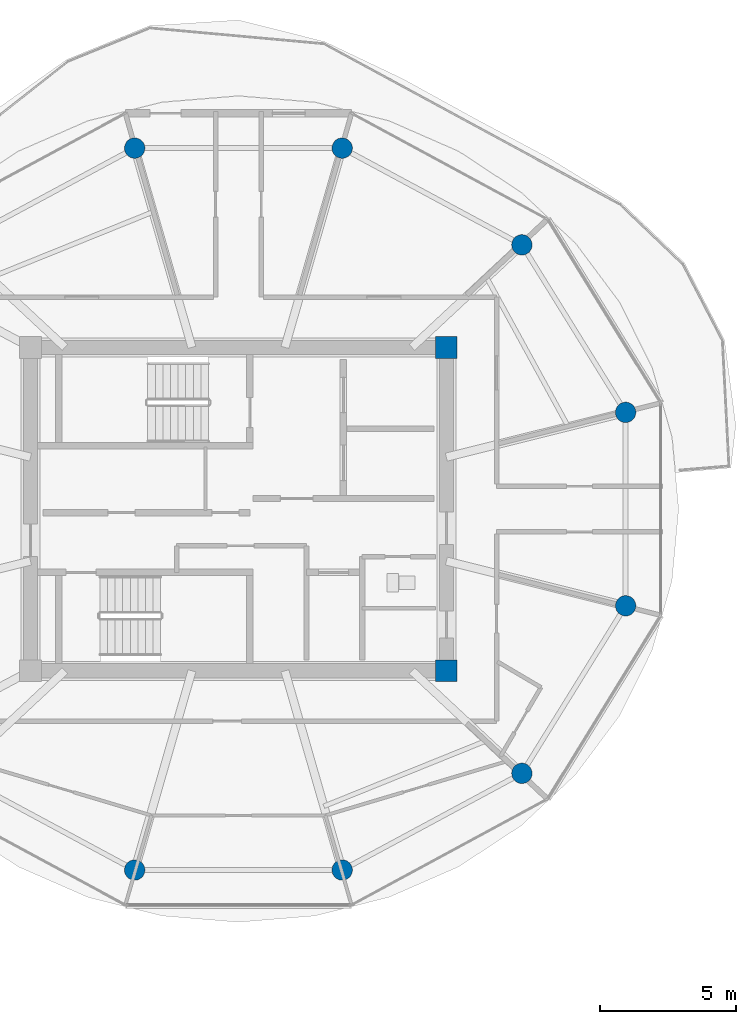
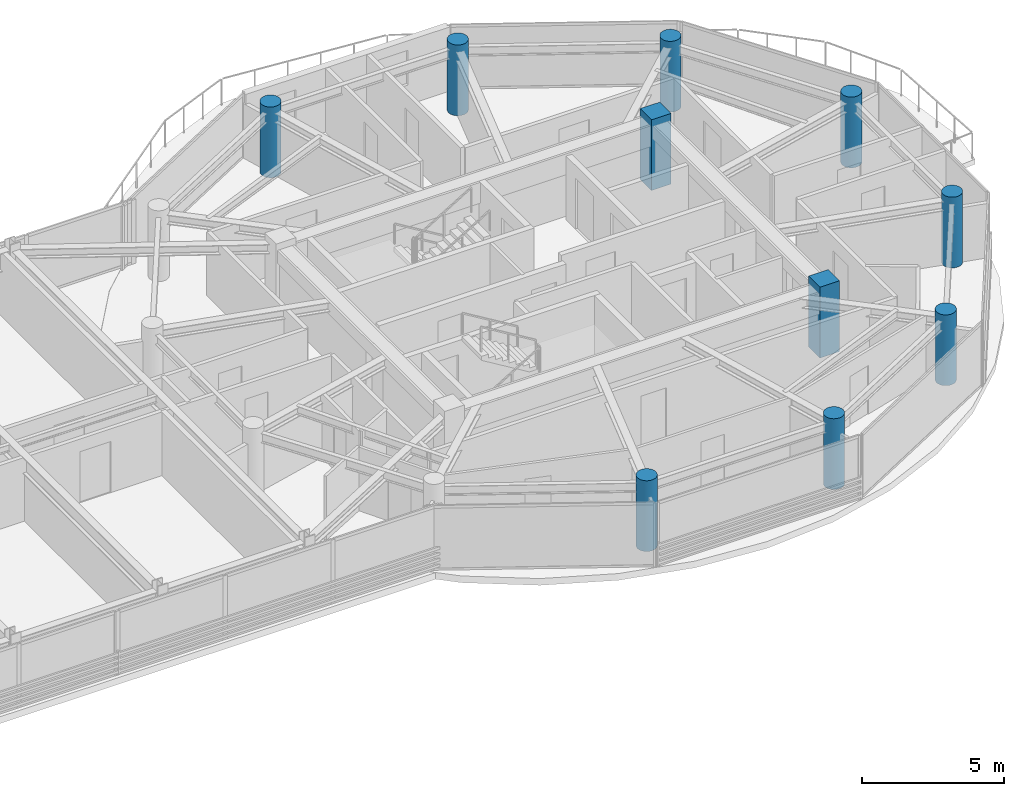
# One storey, part 2 of 24: 10 columns.
"""IFC4 building model written with IfcOpenShell, lengths in metres."""

from ifc_helpers import new_model, si_unit, direction, frame, origin, origin_2d, place, context, subcontext, project, spatial, rectangle, circle, extrude, source, transform, mapped, material, material_profile, profile_set, type_object, type_shapes, element, save


model = new_model("IFC4")

# Units and contexts
model_context = context("Model", 3, precision=1e-05, world=origin(), true_north=direction((0.0, 1.0)))
body_context = subcontext(model_context, "Body", "Model", "MODEL_VIEW")
ifc_project = project(units=[si_unit("LENGTHUNIT", "METRE"), si_unit("AREAUNIT", "SQUARE_METRE"), si_unit("VOLUMEUNIT", "CUBIC_METRE"), si_unit("PLANEANGLEUNIT", "RADIAN"), si_unit("MASSUNIT", "GRAM", prefix="KILO")], contexts=[model_context])

# Site, building, storey
site_placement = place(None, origin())
site = spatial("IfcSite", under=ifc_project, at=site_placement, CompositionType="ELEMENT")
building_placement = place(site_placement, origin())
building = spatial("IfcBuilding", under=site, at=building_placement, Name="Norrkilde Senior Care Towers", CompositionType="ELEMENT")
storey_placement = place(building_placement, frame((0.0, 0.0, 226.10009765625)))
storey = spatial("IfcBuildingStorey", under=building, at=storey_placement, Name="L70", CompositionType="ELEMENT", Elevation=226.10009765625)

# Columns
ifc_material_1 = material(Name="Concrete C60/75", Category="concrete")
ifc_material_profile_1 = material_profile(ifc_material_1, rectangle(XDim=0.800048828125, YDim=0.800048828125, at=origin_2d()), Name="RC COL 800x800")
ifc_profile_set_1 = profile_set([ifc_material_profile_1], Name="Concrete C60/75")
column_type_1 = type_object("IfcColumnType", Name="Column Core Corner Z3-Z4 800", PredefinedType="COLUMN", material=ifc_profile_set_1)
shared_shape_1 = source(origin(), body_context, "Body", "SweptSolid", [
    extrude(rectangle(XDim=0.800048828125, YDim=0.800048828125, at=origin_2d()), origin(), (0.0, 0.0, 1.0), 3.0498046875),
])
type_shapes(column_type_1, [shared_shape_1])
for number, where, z_axis, x_axis, name in (
    (1, (35.64990234375, -5.949951171875, 0.0), (0.0, 0.0, 1.0), (1.0, 0.0, 0.0), "L70 Core E Corner Column 2"),
    (2, (35.64990234375, 5.949951171875, 0.0), (0.0, 0.0, 1.0), (1.0, 0.0, 0.0), "L70 Core E Corner Column 3"),
):
    element("IfcColumn", number, at=place(storey_placement, frame(where, z_axis=z_axis, x_axis=x_axis)), inside=storey, type_object=column_type_1, Name=name, PredefinedType="COLUMN", context=body_context, shape_type="MappedRepresentation", body=[
        mapped(shared_shape_1, transform((0.0, 0.0, 0.0), x_axis=(1.0, 0.0, 0.0), y_axis=(0.0, 1.0, 0.0), z_axis=(0.0, 0.0, 1.0), scale=1.0)),
    ])
ifc_material_2 = material(Name="Concrete C50/60", Category="concrete")
ifc_material_profile_2 = material_profile(ifc_material_2, circle(Radius=0.375, at=origin_2d()), Name="RC CIR 750")
ifc_profile_set_2 = profile_set([ifc_material_profile_2], Name="Concrete C50/60")
column_type_2 = type_object("IfcColumnType", Name="Column Perimeter Z4 750", PredefinedType="COLUMN", material=ifc_profile_set_2)
shared_shape_2 = source(origin(), body_context, "Body", "SweptSolid", [
    extrude(circle(Radius=0.375, at=origin_2d()), origin(), (0.0, 0.0, 1.0), 3.0498046875),
])
type_shapes(column_type_2, [shared_shape_2])
for number, where, z_axis, x_axis, name in (
    (3, (42.247314453125, 3.558837890625, 0.0), (0.0, 0.0, 1.0), (1.0, 0.0, 0.0), "L70 Drum E Perimeter Column 01"),
    (4, (38.429931640625, 9.72265625, 0.0), (0.0, 0.0, 1.0), (1.0, 0.0, 0.0), "L70 Drum E Perimeter Column 02"),
    (5, (31.817626953125, 13.281494140625, 0.0), (0.0, 0.0, 1.0), (1.0, 0.0, 0.0), "L70 Drum E Perimeter Column 03"),
    (6, (24.182373046875, 13.281494140625, 0.0), (0.0, 0.0, 1.0), (1.0, 0.0, 0.0), "L70 Drum E Perimeter Column 04"),
    (7, (24.182373046875, -13.281494140625, 0.0), (0.0, 0.0, 1.0), (1.0, 0.0, 0.0), "L70 Drum E Perimeter Column 09"),
    (8, (31.817626953125, -13.281494140625, 0.0), (0.0, 0.0, 1.0), (1.0, 0.0, 0.0), "L70 Drum E Perimeter Column 10"),
    (9, (38.429931640625, -9.72265625, 0.0), (0.0, 0.0, 1.0), (1.0, 0.0, 0.0), "L70 Drum E Perimeter Column 11"),
    (10, (42.247314453125, -3.558837890625, 0.0), (0.0, 0.0, 1.0), (1.0, 0.0, 0.0), "L70 Drum E Perimeter Column 12"),
):
    element("IfcColumn", number, at=place(storey_placement, frame(where, z_axis=z_axis, x_axis=x_axis)), inside=storey, type_object=column_type_2, Name=name, PredefinedType="COLUMN", context=body_context, shape_type="MappedRepresentation", body=[
        mapped(shared_shape_2, transform((0.0, 0.0, 0.0), x_axis=(1.0, 0.0, 0.0), y_axis=(0.0, 1.0, 0.0), z_axis=(0.0, 0.0, 1.0), scale=1.0)),
    ])

save(model, "model.ifc")
